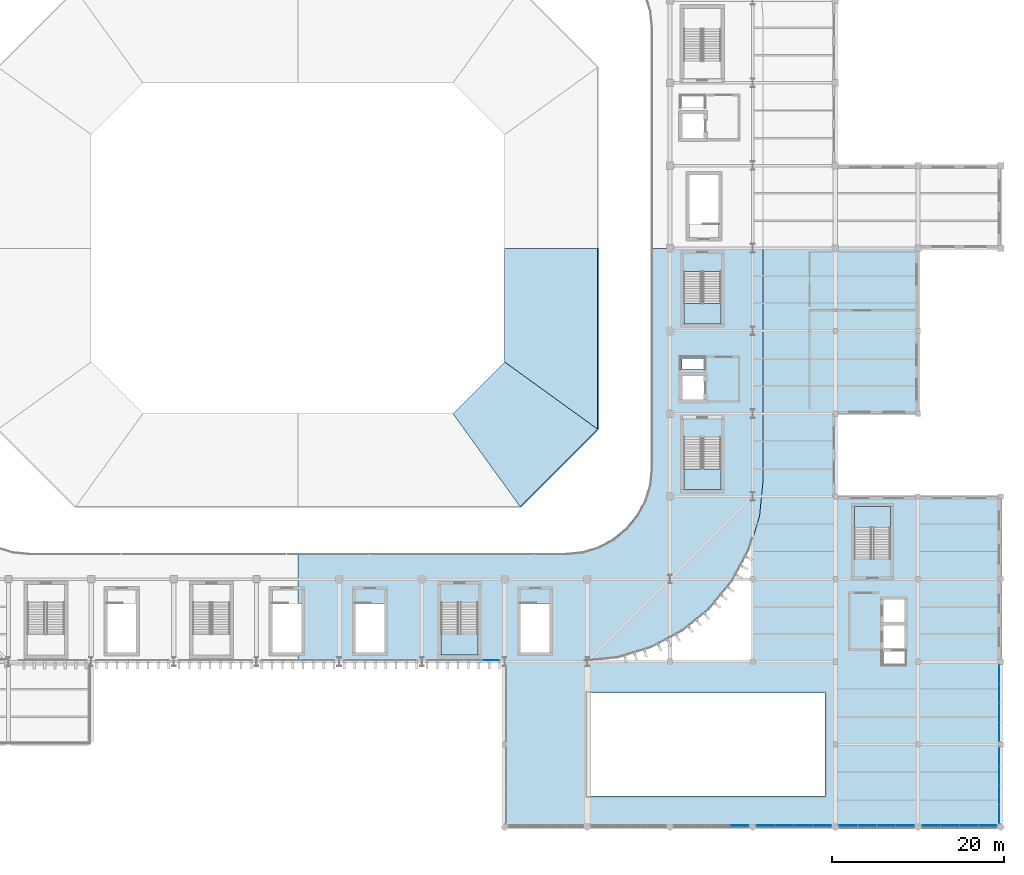
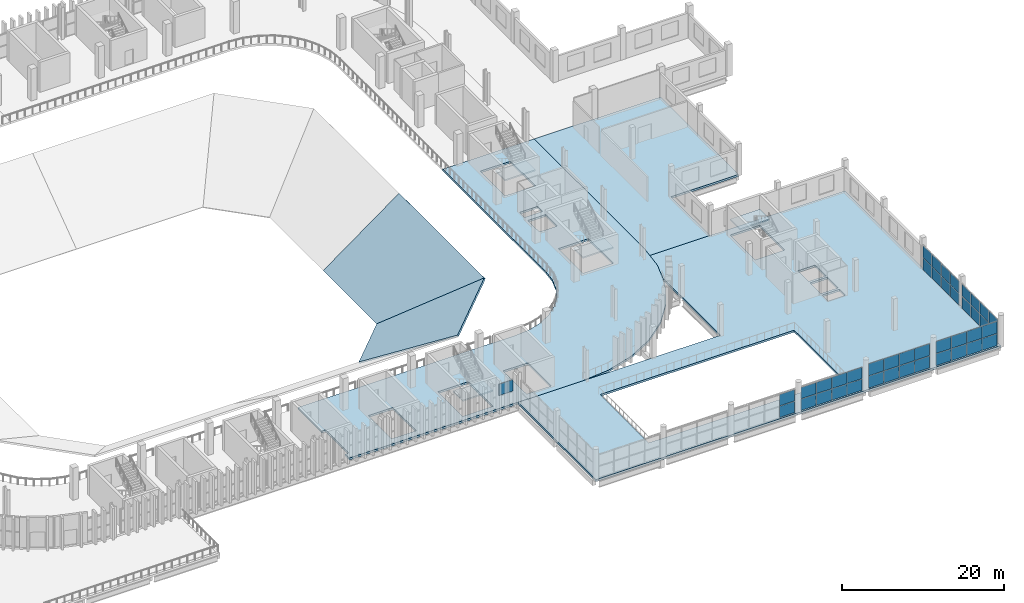
# One storey, part 54 of 99: 43 plates, 9 slabs, 11 elements without a shape of their own.
"""IFC4 building model written with IfcOpenShell, lengths in metres."""

from ifc_helpers import new_model, si_unit, direction, frame, origin, origin_2d, place, context, subcontext, project, spatial, polyline, rectangle, outline, extrude, material, layer, layer_set, type_object, element, aggregate, save


model = new_model("IFC4")

# Units and contexts
model_context = context("Model", 3, precision=1e-05, world=origin(), true_north=direction((0.0, 1.0)))
body_context = subcontext(model_context, "Body", "Model", "MODEL_VIEW")
ifc_project = project(units=[si_unit("LENGTHUNIT", "METRE"), si_unit("AREAUNIT", "SQUARE_METRE"), si_unit("VOLUMEUNIT", "CUBIC_METRE"), si_unit("PLANEANGLEUNIT", "RADIAN"), si_unit("MASSUNIT", "GRAM", prefix="KILO")], contexts=[model_context])

# Site, building, storey
site_placement = place(None, origin())
site = spatial("IfcSite", under=ifc_project, at=site_placement, CompositionType="ELEMENT")
building_placement = place(site_placement, origin())
building = spatial("IfcBuilding", under=site, at=building_placement, Name="Caelomonte Colonnade Arena", CompositionType="ELEMENT")
storey_placement = place(building_placement, frame((0.0, 0.0, 4.800048828125)))
storey = spatial("IfcBuildingStorey", under=building, at=storey_placement, Name="L01", CompositionType="ELEMENT", Elevation=4.800048828125)

# Curtain wall, plate
ifc_material_1 = material(Name="Bronze anodised aluminium and low-E glazing", Category="aluminium")
ifc_layer_1 = layer(ifc_material_1, 0.179931640625)
ifc_layer_set_1 = layer_set([ifc_layer_1], Name="Bronze anodised aluminium and low-E glazing")
curtain_wall_type_1 = type_object("IfcCurtainWallType", Name="ENV-CW-CW-L01-96-36", PredefinedType="USERDEFINED", material=ifc_layer_set_1)
curtain_wall_1_placement = place(storey_placement, origin())
curtain_wall_1 = element("IfcCurtainWall", 1, at=curtain_wall_1_placement, inside=storey, type_object=curtain_wall_type_1, Name="L01 unitized curtain wall CW-L01-1296-0194", ObjectType="UNITIZED CURTAIN WALL", PredefinedType="USERDEFINED")
ifc_material_2 = material(Name="Solar-control bronze low-E double glazing", Category="glass")
ifc_layer_2 = layer(ifc_material_2, 0.028076171875)
ifc_layer_set_2 = layer_set([ifc_layer_2], Name="Solar-control bronze low-E double glazing")
plate_type = type_object("IfcPlateType", Name="ENV-CW-PAN28", PredefinedType="CURTAIN_PANEL", material=ifc_layer_set_2)
plate_1_placement = place(storey_placement, frame((132.788330078125, 19.3798828125, 1.83154296875), z_axis=(0.0, 0.0, 1.0), x_axis=(1.0, 0.0, 0.0)))
plate_1 = element("IfcPlate", 2, at=plate_1_placement, type_object=plate_type, Name="CW-L01-96-36 panel 4.2", PredefinedType="CURTAIN_PANEL", context=body_context, shape_type="SweptSolid", body=[
    extrude(rectangle(XDim=2.0322265625, YDim=0.028076171875, at=origin_2d()), origin(), (0.0, 0.0, 1.0), 1.69140625),
])
aggregate(curtain_wall_1, [plate_1])

# Curtain wall, plates
ifc_layer_3 = layer(ifc_material_1, 0.179931640625)
ifc_layer_set_3 = layer_set([ifc_layer_3], Name="Bronze anodised aluminium and low-E glazing")
curtain_wall_type_2 = type_object("IfcCurtainWallType", Name="ENV-CW-CW-L01-89-36", PredefinedType="USERDEFINED", material=ifc_layer_set_3)
curtain_wall_2_placement = place(storey_placement, origin())
curtain_wall_2 = element("IfcCurtainWall", 3, at=curtain_wall_2_placement, inside=storey, type_object=curtain_wall_type_2, Name="L01 unitized curtain wall CW-L01-1584-0002", ObjectType="UNITIZED CURTAIN WALL", PredefinedType="USERDEFINED")
plate_2_placement = place(storey_placement, frame((161.6875, 0.179931640625, 0.06494140625), z_axis=(0.0, 0.0, 1.0), x_axis=(1.0, 0.0, 0.0)))
plate_2 = element("IfcPlate", 4, at=plate_2_placement, type_object=plate_type, Name="CW-L01-89-36 panel 4.1", PredefinedType="CURTAIN_PANEL", context=body_context, shape_type="SweptSolid", body=[
    extrude(rectangle(XDim=2.10498046875, YDim=0.028076171875, at=origin_2d()), origin(), (0.0, 0.0, 1.0), 1.698974609375),
])
plate_3_placement = place(storey_placement, frame((161.6875, 0.179931640625, 1.8291015625), z_axis=(0.0, 0.0, 1.0), x_axis=(1.0, 0.0, 0.0)))
plate_3 = element("IfcPlate", 5, at=plate_3_placement, type_object=plate_type, Name="CW-L01-89-36 panel 4.2", PredefinedType="CURTAIN_PANEL", context=body_context, shape_type="SweptSolid", body=[
    extrude(rectangle(XDim=2.10498046875, YDim=0.028076171875, at=origin_2d()), origin(), (0.0, 0.0, 1.0), 1.698974609375),
])
aggregate(curtain_wall_2, [plate_2, plate_3])

curtain_wall_3_placement = place(storey_placement, origin())
curtain_wall_3 = element("IfcCurtainWall", 6, at=curtain_wall_3_placement, inside=storey, type_object=curtain_wall_type_2, Name="L01 unitized curtain wall CW-L01-1680-0002", ObjectType="UNITIZED CURTAIN WALL", PredefinedType="USERDEFINED")
plate_4_placement = place(storey_placement, frame((164.71240234375, 0.179931640625, 0.06494140625), z_axis=(0.0, 0.0, 1.0), x_axis=(1.0, 0.0, 0.0)))
plate_4 = element("IfcPlate", 7, at=plate_4_placement, type_object=plate_type, Name="CW-L01-89-36 panel 1.1", PredefinedType="CURTAIN_PANEL", context=body_context, shape_type="SweptSolid", body=[
    extrude(rectangle(XDim=2.10498046875, YDim=0.028076171875, at=origin_2d()), origin(), (0.0, 0.0, 1.0), 1.698974609375),
])
plate_5_placement = place(storey_placement, frame((164.71240234375, 0.179931640625, 1.8291015625), z_axis=(0.0, 0.0, 1.0), x_axis=(1.0, 0.0, 0.0)))
plate_5 = element("IfcPlate", 8, at=plate_5_placement, type_object=plate_type, Name="CW-L01-89-36 panel 1.2", PredefinedType="CURTAIN_PANEL", context=body_context, shape_type="SweptSolid", body=[
    extrude(rectangle(XDim=2.10498046875, YDim=0.028076171875, at=origin_2d()), origin(), (0.0, 0.0, 1.0), 1.698974609375),
])
plate_6_placement = place(storey_placement, frame((166.898681640625, 0.179931640625, 0.06494140625), z_axis=(0.0, 0.0, 1.0), x_axis=(1.0, 0.0, 0.0)))
plate_6 = element("IfcPlate", 9, at=plate_6_placement, type_object=plate_type, Name="CW-L01-89-36 panel 2.1", PredefinedType="CURTAIN_PANEL", context=body_context, shape_type="SweptSolid", body=[
    extrude(rectangle(XDim=2.137451171875, YDim=0.028076171875, at=origin_2d()), origin(), (0.0, 0.0, 1.0), 1.698974609375),
])
plate_7_placement = place(storey_placement, frame((166.898681640625, 0.179931640625, 1.8291015625), z_axis=(0.0, 0.0, 1.0), x_axis=(1.0, 0.0, 0.0)))
plate_7 = element("IfcPlate", 10, at=plate_7_placement, type_object=plate_type, Name="CW-L01-89-36 panel 2.2", PredefinedType="CURTAIN_PANEL", context=body_context, shape_type="SweptSolid", body=[
    extrude(rectangle(XDim=2.137451171875, YDim=0.028076171875, at=origin_2d()), origin(), (0.0, 0.0, 1.0), 1.698974609375),
])
plate_8_placement = place(storey_placement, frame((169.101318359375, 0.179931640625, 0.06494140625), z_axis=(0.0, 0.0, 1.0), x_axis=(1.0, 0.0, 0.0)))
plate_8 = element("IfcPlate", 11, at=plate_8_placement, type_object=plate_type, Name="CW-L01-89-36 panel 3.1", PredefinedType="CURTAIN_PANEL", context=body_context, shape_type="SweptSolid", body=[
    extrude(rectangle(XDim=2.137451171875, YDim=0.028076171875, at=origin_2d()), origin(), (0.0, 0.0, 1.0), 1.698974609375),
])
plate_9_placement = place(storey_placement, frame((169.101318359375, 0.179931640625, 1.8291015625), z_axis=(0.0, 0.0, 1.0), x_axis=(1.0, 0.0, 0.0)))
plate_9 = element("IfcPlate", 12, at=plate_9_placement, type_object=plate_type, Name="CW-L01-89-36 panel 3.2", PredefinedType="CURTAIN_PANEL", context=body_context, shape_type="SweptSolid", body=[
    extrude(rectangle(XDim=2.137451171875, YDim=0.028076171875, at=origin_2d()), origin(), (0.0, 0.0, 1.0), 1.698974609375),
])
plate_10_placement = place(storey_placement, frame((171.28759765625, 0.179931640625, 0.06494140625), z_axis=(0.0, 0.0, 1.0), x_axis=(1.0, 0.0, 0.0)))
plate_10 = element("IfcPlate", 13, at=plate_10_placement, type_object=plate_type, Name="CW-L01-89-36 panel 4.1", PredefinedType="CURTAIN_PANEL", context=body_context, shape_type="SweptSolid", body=[
    extrude(rectangle(XDim=2.10498046875, YDim=0.028076171875, at=origin_2d()), origin(), (0.0, 0.0, 1.0), 1.698974609375),
])
plate_11_placement = place(storey_placement, frame((171.28759765625, 0.179931640625, 1.8291015625), z_axis=(0.0, 0.0, 1.0), x_axis=(1.0, 0.0, 0.0)))
plate_11 = element("IfcPlate", 14, at=plate_11_placement, type_object=plate_type, Name="CW-L01-89-36 panel 4.2", PredefinedType="CURTAIN_PANEL", context=body_context, shape_type="SweptSolid", body=[
    extrude(rectangle(XDim=2.10498046875, YDim=0.028076171875, at=origin_2d()), origin(), (0.0, 0.0, 1.0), 1.698974609375),
])
aggregate(curtain_wall_3, [plate_4, plate_5, plate_6, plate_7, plate_8, plate_9, plate_10, plate_11])

ifc_layer_4 = layer(ifc_material_1, 0.179931640625)
ifc_layer_set_4 = layer_set([ifc_layer_4], Name="Bronze anodised aluminium and low-E glazing")
curtain_wall_type_3 = type_object("IfcCurtainWallType", Name="ENV-CW-CW-L01-89-38", PredefinedType="USERDEFINED", material=ifc_layer_set_4)
curtain_wall_4_placement = place(storey_placement, origin())
curtain_wall_4 = element("IfcCurtainWall", 15, at=curtain_wall_4_placement, inside=storey, type_object=curtain_wall_type_3, Name="L01 unitized curtain wall CW-L01-1776-0002", ObjectType="UNITIZED CURTAIN WALL", PredefinedType="USERDEFINED")
plate_12_placement = place(storey_placement, frame((174.3125, 0.179931640625, 0.06494140625), z_axis=(0.0, 0.0, 1.0), x_axis=(1.0, 0.0, 0.0)))
plate_12 = element("IfcPlate", 16, at=plate_12_placement, type_object=plate_type, Name="CW-L01-89-38 panel 1.1", PredefinedType="CURTAIN_PANEL", context=body_context, shape_type="SweptSolid", body=[
    extrude(rectangle(XDim=2.10498046875, YDim=0.028076171875, at=origin_2d()), origin(), (0.0, 0.0, 1.0), 1.78759765625),
])
plate_13_placement = place(storey_placement, frame((174.3125, 0.179931640625, 1.91748046875), z_axis=(0.0, 0.0, 1.0), x_axis=(1.0, 0.0, 0.0)))
plate_13 = element("IfcPlate", 17, at=plate_13_placement, type_object=plate_type, Name="CW-L01-89-38 panel 1.2", PredefinedType="CURTAIN_PANEL", context=body_context, shape_type="SweptSolid", body=[
    extrude(rectangle(XDim=2.10498046875, YDim=0.028076171875, at=origin_2d()), origin(), (0.0, 0.0, 1.0), 1.78759765625),
])
plate_14_placement = place(storey_placement, frame((176.498779296875, 0.179931640625, 0.06494140625), z_axis=(0.0, 0.0, 1.0), x_axis=(1.0, 0.0, 0.0)))
plate_14 = element("IfcPlate", 18, at=plate_14_placement, type_object=plate_type, Name="CW-L01-89-38 panel 2.1", PredefinedType="CURTAIN_PANEL", context=body_context, shape_type="SweptSolid", body=[
    extrude(rectangle(XDim=2.137451171875, YDim=0.028076171875, at=origin_2d()), origin(), (0.0, 0.0, 1.0), 1.78759765625),
])
plate_15_placement = place(storey_placement, frame((176.498779296875, 0.179931640625, 1.91748046875), z_axis=(0.0, 0.0, 1.0), x_axis=(1.0, 0.0, 0.0)))
plate_15 = element("IfcPlate", 19, at=plate_15_placement, type_object=plate_type, Name="CW-L01-89-38 panel 2.2", PredefinedType="CURTAIN_PANEL", context=body_context, shape_type="SweptSolid", body=[
    extrude(rectangle(XDim=2.137451171875, YDim=0.028076171875, at=origin_2d()), origin(), (0.0, 0.0, 1.0), 1.78759765625),
])
plate_16_placement = place(storey_placement, frame((178.701171875, 0.179931640625, 0.06494140625), z_axis=(0.0, 0.0, 1.0), x_axis=(1.0, 0.0, 0.0)))
plate_16 = element("IfcPlate", 20, at=plate_16_placement, type_object=plate_type, Name="CW-L01-89-38 panel 3.1", PredefinedType="CURTAIN_PANEL", context=body_context, shape_type="SweptSolid", body=[
    extrude(rectangle(XDim=2.137451171875, YDim=0.028076171875, at=origin_2d()), origin(), (0.0, 0.0, 1.0), 1.78759765625),
])
plate_17_placement = place(storey_placement, frame((178.701171875, 0.179931640625, 1.91748046875), z_axis=(0.0, 0.0, 1.0), x_axis=(1.0, 0.0, 0.0)))
plate_17 = element("IfcPlate", 21, at=plate_17_placement, type_object=plate_type, Name="CW-L01-89-38 panel 3.2", PredefinedType="CURTAIN_PANEL", context=body_context, shape_type="SweptSolid", body=[
    extrude(rectangle(XDim=2.137451171875, YDim=0.028076171875, at=origin_2d()), origin(), (0.0, 0.0, 1.0), 1.78759765625),
])
plate_18_placement = place(storey_placement, frame((180.887451171875, 0.179931640625, 0.06494140625), z_axis=(0.0, 0.0, 1.0), x_axis=(1.0, 0.0, 0.0)))
plate_18 = element("IfcPlate", 22, at=plate_18_placement, type_object=plate_type, Name="CW-L01-89-38 panel 4.1", PredefinedType="CURTAIN_PANEL", context=body_context, shape_type="SweptSolid", body=[
    extrude(rectangle(XDim=2.10498046875, YDim=0.028076171875, at=origin_2d()), origin(), (0.0, 0.0, 1.0), 1.78759765625),
])
plate_19_placement = place(storey_placement, frame((180.887451171875, 0.179931640625, 1.91748046875), z_axis=(0.0, 0.0, 1.0), x_axis=(1.0, 0.0, 0.0)))
plate_19 = element("IfcPlate", 23, at=plate_19_placement, type_object=plate_type, Name="CW-L01-89-38 panel 4.2", PredefinedType="CURTAIN_PANEL", context=body_context, shape_type="SweptSolid", body=[
    extrude(rectangle(XDim=2.10498046875, YDim=0.028076171875, at=origin_2d()), origin(), (0.0, 0.0, 1.0), 1.78759765625),
])
aggregate(curtain_wall_4, [plate_12, plate_13, plate_14, plate_15, plate_16, plate_17, plate_18, plate_19])

curtain_wall_5_placement = place(storey_placement, origin())
curtain_wall_5 = element("IfcCurtainWall", 24, at=curtain_wall_5_placement, inside=storey, type_object=curtain_wall_type_3, Name="L01 unitized curtain wall CW-L01-1872-0002", ObjectType="UNITIZED CURTAIN WALL", PredefinedType="USERDEFINED")
plate_20_placement = place(storey_placement, frame((183.91259765625, 0.179931640625, 0.06494140625), z_axis=(0.0, 0.0, 1.0), x_axis=(1.0, 0.0, 0.0)))
plate_20 = element("IfcPlate", 25, at=plate_20_placement, type_object=plate_type, Name="CW-L01-89-38 panel 1.1", PredefinedType="CURTAIN_PANEL", context=body_context, shape_type="SweptSolid", body=[
    extrude(rectangle(XDim=2.10498046875, YDim=0.028076171875, at=origin_2d()), origin(), (0.0, 0.0, 1.0), 1.78759765625),
])
plate_21_placement = place(storey_placement, frame((183.91259765625, 0.179931640625, 1.91748046875), z_axis=(0.0, 0.0, 1.0), x_axis=(1.0, 0.0, 0.0)))
plate_21 = element("IfcPlate", 26, at=plate_21_placement, type_object=plate_type, Name="CW-L01-89-38 panel 1.2", PredefinedType="CURTAIN_PANEL", context=body_context, shape_type="SweptSolid", body=[
    extrude(rectangle(XDim=2.10498046875, YDim=0.028076171875, at=origin_2d()), origin(), (0.0, 0.0, 1.0), 1.78759765625),
])
plate_22_placement = place(storey_placement, frame((186.0986328125, 0.179931640625, 0.06494140625), z_axis=(0.0, 0.0, 1.0), x_axis=(1.0, 0.0, 0.0)))
plate_22 = element("IfcPlate", 27, at=plate_22_placement, type_object=plate_type, Name="CW-L01-89-38 panel 2.1", PredefinedType="CURTAIN_PANEL", context=body_context, shape_type="SweptSolid", body=[
    extrude(rectangle(XDim=2.137451171875, YDim=0.028076171875, at=origin_2d()), origin(), (0.0, 0.0, 1.0), 1.78759765625),
])
plate_23_placement = place(storey_placement, frame((186.0986328125, 0.179931640625, 1.91748046875), z_axis=(0.0, 0.0, 1.0), x_axis=(1.0, 0.0, 0.0)))
plate_23 = element("IfcPlate", 28, at=plate_23_placement, type_object=plate_type, Name="CW-L01-89-38 panel 2.2", PredefinedType="CURTAIN_PANEL", context=body_context, shape_type="SweptSolid", body=[
    extrude(rectangle(XDim=2.137451171875, YDim=0.028076171875, at=origin_2d()), origin(), (0.0, 0.0, 1.0), 1.78759765625),
])
plate_24_placement = place(storey_placement, frame((188.30126953125, 0.179931640625, 0.06494140625), z_axis=(0.0, 0.0, 1.0), x_axis=(1.0, 0.0, 0.0)))
plate_24 = element("IfcPlate", 29, at=plate_24_placement, type_object=plate_type, Name="CW-L01-89-38 panel 3.1", PredefinedType="CURTAIN_PANEL", context=body_context, shape_type="SweptSolid", body=[
    extrude(rectangle(XDim=2.137451171875, YDim=0.028076171875, at=origin_2d()), origin(), (0.0, 0.0, 1.0), 1.78759765625),
])
plate_25_placement = place(storey_placement, frame((188.30126953125, 0.179931640625, 1.91748046875), z_axis=(0.0, 0.0, 1.0), x_axis=(1.0, 0.0, 0.0)))
plate_25 = element("IfcPlate", 30, at=plate_25_placement, type_object=plate_type, Name="CW-L01-89-38 panel 3.2", PredefinedType="CURTAIN_PANEL", context=body_context, shape_type="SweptSolid", body=[
    extrude(rectangle(XDim=2.137451171875, YDim=0.028076171875, at=origin_2d()), origin(), (0.0, 0.0, 1.0), 1.78759765625),
])
plate_26_placement = place(storey_placement, frame((190.487548828125, 0.179931640625, 0.06494140625), z_axis=(0.0, 0.0, 1.0), x_axis=(1.0, 0.0, 0.0)))
plate_26 = element("IfcPlate", 31, at=plate_26_placement, type_object=plate_type, Name="CW-L01-89-38 panel 4.1", PredefinedType="CURTAIN_PANEL", context=body_context, shape_type="SweptSolid", body=[
    extrude(rectangle(XDim=2.10498046875, YDim=0.028076171875, at=origin_2d()), origin(), (0.0, 0.0, 1.0), 1.78759765625),
])
plate_27_placement = place(storey_placement, frame((190.487548828125, 0.179931640625, 1.91748046875), z_axis=(0.0, 0.0, 1.0), x_axis=(1.0, 0.0, 0.0)))
plate_27 = element("IfcPlate", 32, at=plate_27_placement, type_object=plate_type, Name="CW-L01-89-38 panel 4.2", PredefinedType="CURTAIN_PANEL", context=body_context, shape_type="SweptSolid", body=[
    extrude(rectangle(XDim=2.10498046875, YDim=0.028076171875, at=origin_2d()), origin(), (0.0, 0.0, 1.0), 1.78759765625),
])
aggregate(curtain_wall_5, [plate_20, plate_21, plate_22, plate_23, plate_24, plate_25, plate_26, plate_27])

ifc_layer_5 = layer(ifc_material_1, 0.179931640625)
ifc_layer_set_5 = layer_set([ifc_layer_5], Name="Bronze anodised aluminium and low-E glazing")
curtain_wall_type_4 = type_object("IfcCurtainWallType", Name="ENV-CW-CW-L01-92-38", PredefinedType="USERDEFINED", material=ifc_layer_set_5)
curtain_wall_6_placement = place(storey_placement, origin())
curtain_wall_6 = element("IfcCurtainWall", 33, at=curtain_wall_6_placement, inside=storey, type_object=curtain_wall_type_4, Name="L01 unitized curtain wall CW-L01-1918-0050", ObjectType="UNITIZED CURTAIN WALL", PredefinedType="USERDEFINED")
plate_28_placement = place(storey_placement, frame((191.820068359375, 1.52197265625, 0.06494140625), z_axis=(0.0, 0.0, 1.0), x_axis=(0.0, 1.0, 0.0)))
plate_28 = element("IfcPlate", 34, at=plate_28_placement, type_object=plate_type, Name="CW-L01-92-38 panel 1.1", PredefinedType="CURTAIN_PANEL", context=body_context, shape_type="SweptSolid", body=[
    extrude(rectangle(XDim=2.123779296875, YDim=0.028076171875, at=origin_2d()), origin(), (0.0, 0.0, 1.0), 1.78759765625),
])
plate_29_placement = place(storey_placement, frame((191.820068359375, 1.52197265625, 1.91748046875), z_axis=(0.0, 0.0, 1.0), x_axis=(0.0, 1.0, 0.0)))
plate_29 = element("IfcPlate", 35, at=plate_29_placement, type_object=plate_type, Name="CW-L01-92-38 panel 1.2", PredefinedType="CURTAIN_PANEL", context=body_context, shape_type="SweptSolid", body=[
    extrude(rectangle(XDim=2.123779296875, YDim=0.028076171875, at=origin_2d()), origin(), (0.0, 0.0, 1.0), 1.78759765625),
])
plate_30_placement = place(storey_placement, frame((191.820068359375, 3.726806640625, 0.06494140625), z_axis=(0.0, 0.0, 1.0), x_axis=(0.0, 1.0, 0.0)))
plate_30 = element("IfcPlate", 36, at=plate_30_placement, type_object=plate_type, Name="CW-L01-92-38 panel 2.1", PredefinedType="CURTAIN_PANEL", context=body_context, shape_type="SweptSolid", body=[
    extrude(rectangle(XDim=2.15625, YDim=0.028076171875, at=origin_2d()), origin(), (0.0, 0.0, 1.0), 1.78759765625),
])
plate_31_placement = place(storey_placement, frame((191.820068359375, 3.726806640625, 1.91748046875), z_axis=(0.0, 0.0, 1.0), x_axis=(0.0, 1.0, 0.0)))
plate_31 = element("IfcPlate", 37, at=plate_31_placement, type_object=plate_type, Name="CW-L01-92-38 panel 2.2", PredefinedType="CURTAIN_PANEL", context=body_context, shape_type="SweptSolid", body=[
    extrude(rectangle(XDim=2.15625, YDim=0.028076171875, at=origin_2d()), origin(), (0.0, 0.0, 1.0), 1.78759765625),
])
plate_32_placement = place(storey_placement, frame((191.820068359375, 5.9482421875, 0.06494140625), z_axis=(0.0, 0.0, 1.0), x_axis=(0.0, 1.0, 0.0)))
plate_32 = element("IfcPlate", 38, at=plate_32_placement, type_object=plate_type, Name="CW-L01-92-38 panel 3.1", PredefinedType="CURTAIN_PANEL", context=body_context, shape_type="SweptSolid", body=[
    extrude(rectangle(XDim=2.15625, YDim=0.028076171875, at=origin_2d()), origin(), (0.0, 0.0, 1.0), 1.78759765625),
])
plate_33_placement = place(storey_placement, frame((191.820068359375, 5.9482421875, 1.91748046875), z_axis=(0.0, 0.0, 1.0), x_axis=(0.0, 1.0, 0.0)))
plate_33 = element("IfcPlate", 39, at=plate_33_placement, type_object=plate_type, Name="CW-L01-92-38 panel 3.2", PredefinedType="CURTAIN_PANEL", context=body_context, shape_type="SweptSolid", body=[
    extrude(rectangle(XDim=2.15625, YDim=0.028076171875, at=origin_2d()), origin(), (0.0, 0.0, 1.0), 1.78759765625),
])
plate_34_placement = place(storey_placement, frame((191.820068359375, 8.153076171875, 0.06494140625), z_axis=(0.0, 0.0, 1.0), x_axis=(0.0, 1.0, 0.0)))
plate_34 = element("IfcPlate", 40, at=plate_34_placement, type_object=plate_type, Name="CW-L01-92-38 panel 4.1", PredefinedType="CURTAIN_PANEL", context=body_context, shape_type="SweptSolid", body=[
    extrude(rectangle(XDim=2.123779296875, YDim=0.028076171875, at=origin_2d()), origin(), (0.0, 0.0, 1.0), 1.78759765625),
])
plate_35_placement = place(storey_placement, frame((191.820068359375, 8.153076171875, 1.91748046875), z_axis=(0.0, 0.0, 1.0), x_axis=(0.0, 1.0, 0.0)))
plate_35 = element("IfcPlate", 41, at=plate_35_placement, type_object=plate_type, Name="CW-L01-92-38 panel 4.2", PredefinedType="CURTAIN_PANEL", context=body_context, shape_type="SweptSolid", body=[
    extrude(rectangle(XDim=2.123779296875, YDim=0.028076171875, at=origin_2d()), origin(), (0.0, 0.0, 1.0), 1.78759765625),
])
aggregate(curtain_wall_6, [plate_28, plate_29, plate_30, plate_31, plate_32, plate_33, plate_34, plate_35])

ifc_layer_6 = layer(ifc_material_1, 0.179931640625)
ifc_layer_set_6 = layer_set([ifc_layer_6], Name="Bronze anodised aluminium and low-E glazing")
curtain_wall_type_5 = type_object("IfcCurtainWallType", Name="ENV-CW-CW-L01-96-38", PredefinedType="USERDEFINED", material=ifc_layer_set_6)
curtain_wall_7_placement = place(storey_placement, origin())
curtain_wall_7 = element("IfcCurtainWall", 42, at=curtain_wall_7_placement, inside=storey, type_object=curtain_wall_type_5, Name="L01 unitized curtain wall CW-L01-1918-0144", ObjectType="UNITIZED CURTAIN WALL", PredefinedType="USERDEFINED")
plate_36_placement = place(storey_placement, frame((191.820068359375, 11.05615234375, 0.06494140625), z_axis=(0.0, 0.0, 1.0), x_axis=(0.0, 1.0, 0.0)))
plate_36 = element("IfcPlate", 43, at=plate_36_placement, type_object=plate_type, Name="CW-L01-96-38 panel 1.1", PredefinedType="CURTAIN_PANEL", context=body_context, shape_type="SweptSolid", body=[
    extrude(rectangle(XDim=2.142578125, YDim=0.028076171875, at=origin_2d()), origin(), (0.0, 0.0, 1.0), 1.78759765625),
])
plate_37_placement = place(storey_placement, frame((191.820068359375, 11.05615234375, 1.91748046875), z_axis=(0.0, 0.0, 1.0), x_axis=(0.0, 1.0, 0.0)))
plate_37 = element("IfcPlate", 44, at=plate_37_placement, type_object=plate_type, Name="CW-L01-96-38 panel 1.2", PredefinedType="CURTAIN_PANEL", context=body_context, shape_type="SweptSolid", body=[
    extrude(rectangle(XDim=2.142578125, YDim=0.028076171875, at=origin_2d()), origin(), (0.0, 0.0, 1.0), 1.78759765625),
])
plate_38_placement = place(storey_placement, frame((191.820068359375, 13.280029296875, 0.06494140625), z_axis=(0.0, 0.0, 1.0), x_axis=(0.0, 1.0, 0.0)))
plate_38 = element("IfcPlate", 45, at=plate_38_placement, type_object=plate_type, Name="CW-L01-96-38 panel 2.1", PredefinedType="CURTAIN_PANEL", context=body_context, shape_type="SweptSolid", body=[
    extrude(rectangle(XDim=2.175048828125, YDim=0.028076171875, at=origin_2d()), origin(), (0.0, 0.0, 1.0), 1.78759765625),
])
plate_39_placement = place(storey_placement, frame((191.820068359375, 13.280029296875, 1.91748046875), z_axis=(0.0, 0.0, 1.0), x_axis=(0.0, 1.0, 0.0)))
plate_39 = element("IfcPlate", 46, at=plate_39_placement, type_object=plate_type, Name="CW-L01-96-38 panel 2.2", PredefinedType="CURTAIN_PANEL", context=body_context, shape_type="SweptSolid", body=[
    extrude(rectangle(XDim=2.175048828125, YDim=0.028076171875, at=origin_2d()), origin(), (0.0, 0.0, 1.0), 1.78759765625),
])
plate_40_placement = place(storey_placement, frame((191.820068359375, 15.52001953125, 0.06494140625), z_axis=(0.0, 0.0, 1.0), x_axis=(0.0, 1.0, 0.0)))
plate_40 = element("IfcPlate", 47, at=plate_40_placement, type_object=plate_type, Name="CW-L01-96-38 panel 3.1", PredefinedType="CURTAIN_PANEL", context=body_context, shape_type="SweptSolid", body=[
    extrude(rectangle(XDim=2.175048828125, YDim=0.028076171875, at=origin_2d()), origin(), (0.0, 0.0, 1.0), 1.78759765625),
])
plate_41_placement = place(storey_placement, frame((191.820068359375, 15.52001953125, 1.91748046875), z_axis=(0.0, 0.0, 1.0), x_axis=(0.0, 1.0, 0.0)))
plate_41 = element("IfcPlate", 48, at=plate_41_placement, type_object=plate_type, Name="CW-L01-96-38 panel 3.2", PredefinedType="CURTAIN_PANEL", context=body_context, shape_type="SweptSolid", body=[
    extrude(rectangle(XDim=2.175048828125, YDim=0.028076171875, at=origin_2d()), origin(), (0.0, 0.0, 1.0), 1.78759765625),
])
plate_42_placement = place(storey_placement, frame((191.820068359375, 17.74365234375, 0.06494140625), z_axis=(0.0, 0.0, 1.0), x_axis=(0.0, 1.0, 0.0)))
plate_42 = element("IfcPlate", 49, at=plate_42_placement, type_object=plate_type, Name="CW-L01-96-38 panel 4.1", PredefinedType="CURTAIN_PANEL", context=body_context, shape_type="SweptSolid", body=[
    extrude(rectangle(XDim=2.142578125, YDim=0.028076171875, at=origin_2d()), origin(), (0.0, 0.0, 1.0), 1.78759765625),
])
plate_43_placement = place(storey_placement, frame((191.820068359375, 17.74365234375, 1.91748046875), z_axis=(0.0, 0.0, 1.0), x_axis=(0.0, 1.0, 0.0)))
plate_43 = element("IfcPlate", 50, at=plate_43_placement, type_object=plate_type, Name="CW-L01-96-38 panel 4.2", PredefinedType="CURTAIN_PANEL", context=body_context, shape_type="SweptSolid", body=[
    extrude(rectangle(XDim=2.142578125, YDim=0.028076171875, at=origin_2d()), origin(), (0.0, 0.0, 1.0), 1.78759765625),
])
aggregate(curtain_wall_7, [plate_36, plate_37, plate_38, plate_39, plate_40, plate_41, plate_42, plate_43])

# Stair, slab
ifc_material_3 = material(Name="Concrete C40/50", Category="concrete")
stair_type_1 = type_object("IfcStairType", Name="INT-ST-WING48", PredefinedType="HALF_TURN_STAIR", material=ifc_material_3)
stair_1_placement = place(storey_placement, origin())
stair_1 = element("IfcStair", 51, at=stair_1_placement, inside=storey, type_object=stair_type_1, Name="L01 Core C2 exit stair ST-02", PredefinedType="HALF_TURN_STAIR")
ifc_layer_7 = layer(ifc_material_3, 0.199951171875)
ifc_layer_set_7 = layer_set([ifc_layer_7], Name="Concrete C40/50")
slab_type_1 = type_object("IfcSlabType", Name="INT-SL-LAND20", PredefinedType="LANDING", material=ifc_layer_set_7)
slab_1_placement = place(storey_placement, frame((0.0, 0.0, 2.199951171875)))
slab_1 = element("IfcSlab", 52, at=slab_1_placement, type_object=slab_type_1, Name="ST-02 landing 1", PredefinedType="LANDING", context=body_context, shape_type="SweptSolid", body=[
    extrude(outline(polyline([(155.199951171875, 41.594970703125), (155.199951171875, 39.199951171875), (159.5, 39.199951171875), (159.5, 41.594970703125), (155.199951171875, 41.594970703125)])), origin(), (0.0, 0.0, 1.0), 0.199951171875),
])
aggregate(stair_1, [slab_1])

stair_2_placement = place(storey_placement, origin())
stair_2 = element("IfcStair", 53, at=stair_2_placement, inside=storey, type_object=stair_type_1, Name="L01 Core C5 exit stair ST-05", PredefinedType="HALF_TURN_STAIR")
slab_2_placement = place(storey_placement, frame((0.0, 0.0, 2.199951171875)))
slab_2 = element("IfcSlab", 54, at=slab_2_placement, type_object=slab_type_1, Name="ST-05 landing 1", PredefinedType="LANDING", context=body_context, shape_type="SweptSolid", body=[
    extrude(outline(polyline([(179.199951171875, 34.804931640625), (179.199951171875, 37.25), (175.0, 37.25), (175.0, 34.804931640625), (179.199951171875, 34.804931640625)])), origin(), (0.0, 0.0, 1.0), 0.199951171875),
])
aggregate(stair_2, [slab_2])

stair_type_2 = type_object("IfcStairType", Name="INT-ST-CORE48", PredefinedType="HALF_TURN_STAIR", material=ifc_material_3)
stair_3_placement = place(storey_placement, origin())
stair_3 = element("IfcStair", 55, at=stair_3_placement, inside=storey, type_object=stair_type_2, Name="L01 Protected exit stair ST-10", PredefinedType="HALF_TURN_STAIR")
slab_3_placement = place(storey_placement, frame((0.0, 0.0, 2.199951171875)))
slab_3 = element("IfcSlab", 56, at=slab_3_placement, type_object=slab_type_1, Name="ST-10 landing 1", PredefinedType="LANDING", context=body_context, shape_type="SweptSolid", body=[
    extrude(outline(polyline([(155.199951171875, 60.794921875), (155.199951171875, 58.39990234375), (159.5, 58.39990234375), (159.5, 60.794921875), (155.199951171875, 60.794921875)])), origin(), (0.0, 0.0, 1.0), 0.199951171875),
])
aggregate(stair_3, [slab_3])

stair_4_placement = place(storey_placement, origin())
stair_4 = element("IfcStair", 57, at=stair_4_placement, inside=storey, type_object=stair_type_2, Name="L01 Protected exit stair ST-13", PredefinedType="HALF_TURN_STAIR")
slab_4_placement = place(storey_placement, frame((0.0, 0.0, 2.199951171875)))
slab_4 = element("IfcSlab", 58, at=slab_4_placement, type_object=slab_type_1, Name="ST-13 landing 1", PredefinedType="LANDING", context=body_context, shape_type="SweptSolid", body=[
    extrude(outline(polyline([(127.0, 22.39501953125), (127.0, 20.0), (131.300048828125, 20.0), (131.300048828125, 22.39501953125), (127.0, 22.39501953125)])), origin(), (0.0, 0.0, 1.0), 0.199951171875),
])
aggregate(stair_4, [slab_4])

# Slabs
ifc_layer_8 = layer(ifc_material_3, 0.300048828125)
ifc_layer_set_8 = layer_set([ifc_layer_8], Name="Concrete C40/50")
slab_type_2 = type_object("IfcSlabType", Name="STR-SL-FLR30", PredefinedType="FLOOR", material=ifc_layer_set_8)
slab_5_placement = place(storey_placement, frame((0.0, 0.0, -0.300048828125)))
element("IfcSlab", 59, at=slab_5_placement, inside=storey, type_object=slab_type_2, Name="L01 structural floor slab SL-L01-V1-SE", PredefinedType="FLOOR", context=body_context, shape_type="SweptSolid", body=[
    extrude(outline(polyline([(164.39990234375, 40.199951171875), (164.39990234375, 67.199951171875), (151.39990234375, 67.199951171875), (151.39990234375, 41.800048828125), (151.2080078125, 39.84912109375), (150.638916015625, 37.97314453125), (149.714599609375, 36.244384765625), (148.47119140625, 34.72900390625), (146.955810546875, 33.4853515625), (145.226806640625, 32.561279296875), (143.350830078125, 31.9921875), (141.39990234375, 31.800048828125), (110.39990234375, 31.800048828125), (110.39990234375, 25.949951171875), (110.89990234375, 25.949951171875), (110.89990234375, 20.199951171875), (110.39990234375, 20.199951171875), (110.39990234375, 19.199951171875), (143.39990234375, 19.199951171875), (147.496826171875, 19.603515625), (151.436279296875, 20.798583984375), (155.06689453125, 22.739013671875), (158.249267578125, 25.350830078125), (160.86083984375, 28.532958984375), (162.801513671875, 32.16357421875), (163.99658203125, 36.10302734375), (164.39990234375, 40.199951171875)]), holes=[polyline([(131.300048828125, 26.10009765625), (131.300048828125, 20.0), (127.0, 20.0), (127.0, 26.10009765625), (131.300048828125, 26.10009765625)]), polyline([(120.5, 25.949951171875), (120.5, 20.199951171875), (117.0, 20.199951171875), (117.0, 25.949951171875), (120.5, 25.949951171875)]), polyline([(139.699951171875, 20.199951171875), (136.199951171875, 20.199951171875), (136.199951171875, 25.949951171875), (139.699951171875, 25.949951171875), (139.699951171875, 20.199951171875)]), polyline([(154.97998046875, 52.419921875), (157.52001953125, 52.419921875), (157.52001953125, 49.580078125), (154.97998046875, 49.580078125), (154.97998046875, 52.419921875)]), polyline([(159.5, 45.300048828125), (159.5, 39.199951171875), (155.199951171875, 39.199951171875), (155.199951171875, 45.300048828125), (159.5, 45.300048828125)]), polyline([(154.97998046875, 53.179931640625), (154.97998046875, 54.419921875), (157.52001953125, 54.419921875), (157.52001953125, 53.179931640625), (154.97998046875, 53.179931640625)]), polyline([(159.5, 58.39990234375), (155.199951171875, 58.39990234375), (155.199951171875, 64.5), (159.5, 64.5), (159.5, 58.39990234375)])]), origin(), (0.0, 0.0, 1.0), 0.300048828125),
])
slab_6_placement = place(storey_placement, frame((0.0, 0.0, -0.300048828125)))
element("IfcSlab", 60, at=slab_6_placement, inside=storey, type_object=slab_type_2, Name="L01 structural floor slab SL-L01-V3", PredefinedType="FLOOR", context=body_context, shape_type="SweptSolid", body=[
    extrude(outline(polyline([(134.39990234375, 19.199951171875), (134.39990234375, 0.0), (192.0, 0.0), (192.0, 19.199951171875), (192.0, 38.39990234375), (164.22265625, 38.39990234375), (163.99658203125, 36.10302734375), (163.199951171875, 33.477294921875), (163.199951171875, 19.199951171875), (143.39990234375, 19.199951171875), (134.39990234375, 19.199951171875)]), holes=[polyline([(171.60009765625, 15.60009765625), (171.60009765625, 3.60009765625), (144.0, 3.60009765625), (144.0, 15.60009765625), (171.60009765625, 15.60009765625)]), polyline([(178.3798828125, 18.97998046875), (178.3798828125, 20.419921875), (180.820068359375, 20.419921875), (180.820068359375, 18.97998046875), (178.3798828125, 18.97998046875)]), polyline([(178.3798828125, 23.419921875), (180.820068359375, 23.419921875), (180.820068359375, 20.780029296875), (178.3798828125, 20.780029296875), (178.3798828125, 23.419921875)]), polyline([(178.3798828125, 26.419921875), (180.820068359375, 26.419921875), (180.820068359375, 23.780029296875), (178.3798828125, 23.780029296875), (178.3798828125, 26.419921875)]), polyline([(175.0, 31.10009765625), (175.0, 37.25), (179.199951171875, 37.25), (179.199951171875, 31.10009765625), (175.0, 31.10009765625)])]), origin(), (0.0, 0.0, 1.0), 0.300048828125),
])
slab_7_placement = place(storey_placement, frame((0.0, 0.0, -0.300048828125)))
element("IfcSlab", 61, at=slab_7_placement, inside=storey, type_object=slab_type_2, Name="L01 structural floor slab SL-L01-V4-LINK", PredefinedType="FLOOR", context=body_context, shape_type="SweptSolid", body=[
    extrude(outline(polyline([(182.39990234375, 67.199951171875), (164.39990234375, 67.199951171875), (164.39990234375, 40.199951171875), (164.22265625, 38.39990234375), (172.800048828125, 38.39990234375), (172.800048828125, 48.0), (182.39990234375, 48.0), (182.39990234375, 67.199951171875)])), origin(), (0.0, 0.0, 1.0), 0.300048828125),
])
ifc_material_4 = material(Name="Precast concrete C40/50", Category="concrete")
ifc_layer_9 = layer(ifc_material_4, 0.239990234375)
ifc_layer_set_9 = layer_set([ifc_layer_9], Name="Precast concrete C40/50")
slab_type_3 = type_object("IfcSlabType", Name="STR-SL-TIER24", PredefinedType="USERDEFINED", material=ifc_layer_set_9)
slab_8_placement = place(storey_placement, frame((128.39990234375, 48.0, -9.300048828125), z_axis=(-0.362742599631, 0.362742599631, 0.85839129354), x_axis=(0.707106781187, 0.707106781187, 0.0)))
element("IfcSlab", 62, at=slab_8_placement, inside=storey, type_object=slab_type_3, Name="Stand LOWER bowl seating tier sector SE", ObjectType="SEATING TIER", PredefinedType="USERDEFINED", context=body_context, shape_type="SweptSolid", body=[
    extrude(outline(polyline([(0.0, 0.0), (8.485281374238571, 0.0), (10.606601717798213, -15.321981108669757), (-2.121320343559643, -15.321981108669757), (0.0, 0.0)])), origin(), (0.0, 0.0, -1.0), 0.239990234375),
])
slab_9_placement = place(storey_placement, frame((134.39990234375, 54.0, -9.300048828125), z_axis=(-0.588442269699, 0.0, 0.808539235431), x_axis=(0.0, 1.0, 0.0)))
element("IfcSlab", 63, at=slab_9_placement, inside=storey, type_object=slab_type_3, Name="Stand LOWER bowl seating tier sector E1", ObjectType="SEATING TIER", PredefinedType="USERDEFINED", context=body_context, shape_type="SweptSolid", body=[
    extrude(outline(polyline([(0.0, 0.0), (13.199951171875, 0.0), (13.199951171875, -13.357482673516692), (-7.800048828125, -13.357482673516692), (0.0, 0.0)])), origin(), (0.0, 0.0, -1.0), 0.239990234375),
])

save(model, "model.ifc")
